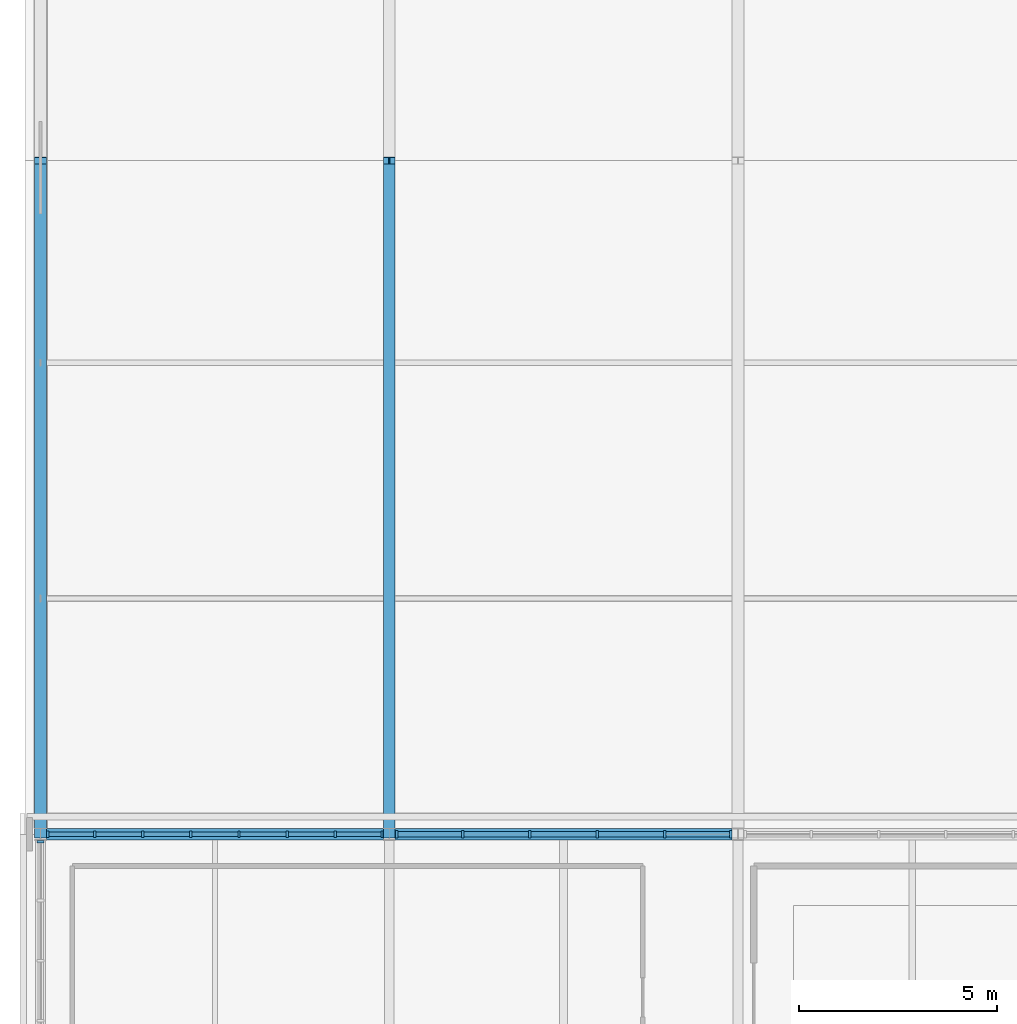
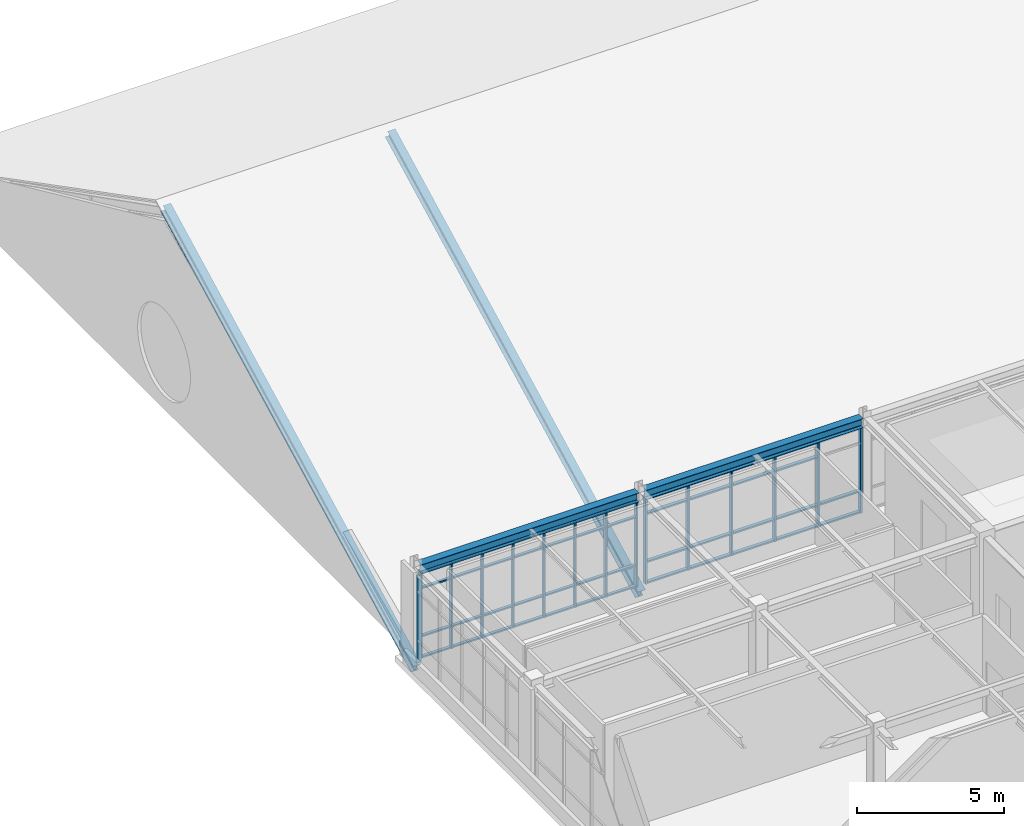
# One storey, part 14 of 45: 63 members, 2 beams, 3 elements without a shape of their own.
"""IFC4 building model written with IfcOpenShell, lengths in metres."""

import ifcopenshell
import ifcopenshell.guid

model = None  # the IFC model being written
_history = None  # IfcOwnerHistory: only IFC2X3 demands one
_inside = {}  # id of a spatial element -> (the spatial element, [elements in it])
_under = {}  # id of a project, library or spatial element -> (it, [spatial elements below it])
_declared = {}  # id of a project -> (the project, [libraries it declares])
_typed = {}  # id of a type object -> (the type object, [elements of that type])
_made_of = {}  # id of a material, layer set ... -> (it, [elements and type objects made of it])


def new_model(schema):
    """Start an empty IFC model of exactly this schema.

    Asked for "IFC4X3", IfcOpenShell would pick the latest addendum, in which some entities
    have other attributes; the version numbers below select the first issue.
    IFC2X3 requires an IfcOwnerHistory on every rooted entity: one is made here for all.
    """
    global model, _history
    if schema == "IFC4X3":
        model = ifcopenshell.file(schema_version=(4, 3, 0, 0))
    else:
        model = ifcopenshell.file(schema=schema)
    _inside.clear()
    _under.clear()
    _declared.clear()
    _typed.clear()
    _made_of.clear()
    _history = None
    if model.schema == "IFC2X3":
        org = make("IfcOrganization", Name="unknown")
        user = make(
            "IfcPersonAndOrganization",
            ThePerson=make("IfcPerson", FamilyName="unknown"),
            TheOrganization=org,
        )
        app = make(
            "IfcApplication",
            ApplicationDeveloper=org,
            Version="unknown",
            ApplicationFullName="unknown",
            ApplicationIdentifier="unknown",
        )
        _history = make(
            "IfcOwnerHistory",
            OwningUser=user,
            OwningApplication=app,
            ChangeAction="ADDED",
            CreationDate=0,
        )
    return model


def make(cls, **values):
    """One entity of the class cls with the attributes given. An attribute that is None is left unset."""
    return model.create_entity(
        cls, **{name: value for name, value in values.items() if value is not None}
    )


def rooted(cls, **values):
    """An entity with a GlobalId (a new one), such as an element, a storey or a relation."""
    return make(cls, GlobalId=ifcopenshell.guid.new(), OwnerHistory=_history, **values)


def si_unit(unit_type, name, prefix=None):
    """IfcSIUnit, for example si_unit("LENGTHUNIT", "METRE", prefix="MILLI")."""
    return make("IfcSIUnit", UnitType=unit_type, Prefix=prefix, Name=name)


def assignment(units):
    """IfcUnitAssignment: the units of a project."""
    return None if units is None else make("IfcUnitAssignment", Units=units)


def point(xyz):
    """IfcCartesianPoint."""
    return None if xyz is None else make("IfcCartesianPoint", Coordinates=xyz)


def direction(xyz):
    """IfcDirection."""
    return None if xyz is None else make("IfcDirection", DirectionRatios=xyz)


def frame(location, z_axis=None, x_axis=None):
    """IfcAxis2Placement3D, a coordinate frame: its origin and axes. An axis left out is left unset."""
    return make(
        "IfcAxis2Placement3D",
        Location=point(location),
        Axis=direction(z_axis),
        RefDirection=direction(x_axis),
    )


def frame_2d(location, x_axis=None):
    """IfcAxis2Placement2D, a coordinate frame in the plane: its origin and x axis."""
    return make(
        "IfcAxis2Placement2D", Location=point(location), RefDirection=direction(x_axis)
    )


def origin():
    """The frame at (0, 0, 0) with its axes left unset."""
    return frame((0.0, 0.0, 0.0))


def origin_2d():
    """The frame at (0, 0) in the plane with its x axis left unset."""
    return frame_2d((0.0, 0.0))


def place(relative_to, where):
    """IfcLocalPlacement: puts the frame where relative to a parent placement (None: the world)."""
    return make(
        "IfcLocalPlacement", PlacementRelTo=relative_to, RelativePlacement=where
    )


def context(
    kind, dimensions, precision=None, world=None, true_north=None, identifier=None
):
    """IfcGeometricRepresentationContext, for example the 3D "Model" context."""
    return make(
        "IfcGeometricRepresentationContext",
        ContextIdentifier=identifier,
        ContextType=kind,
        CoordinateSpaceDimension=dimensions,
        Precision=precision,
        WorldCoordinateSystem=world,
        TrueNorth=true_north,
    )


def subcontext(parent, identifier, kind, view, scale=None):
    """IfcGeometricRepresentationSubContext, for example "Body" below "Model"."""
    return make(
        "IfcGeometricRepresentationSubContext",
        ContextIdentifier=identifier,
        ContextType=kind,
        ParentContext=parent,
        TargetScale=scale,
        TargetView=view,
    )


def project(units=None, contexts=None):
    """IfcProject with its units and contexts."""
    return rooted(
        "IfcProject",
        Name="project",
        RepresentationContexts=contexts,
        UnitsInContext=assignment(units),
    )


def spatial(cls, under=None, at=None, **own):
    """A site, building, storey or space (cls), placed at a placement, below another one or the project."""
    s = rooted(cls, ObjectPlacement=at, **own)
    if under is not None:
        _under.setdefault(under.id(), (under, []))[1].append(s)
    return s


def profile(cls, at=None, kind="AREA", **sizes):
    """A parametric profile (cls). Its sizes go by their IFC names, for example OverallWidth=200.0."""
    return make(cls, ProfileType=kind, Position=at, **sizes)


def rectangle(**sizes):
    """IfcRectangleProfileDef."""
    return profile("IfcRectangleProfileDef", **sizes)


def i_section(**sizes):
    """IfcIShapeProfileDef."""
    return profile("IfcIShapeProfileDef", **sizes)


def extrude(swept, where, along, depth):
    """IfcExtrudedAreaSolid: the profile swept, set in the frame where, extruded along a direction by depth."""
    return make(
        "IfcExtrudedAreaSolid",
        SweptArea=swept,
        Position=where,
        ExtrudedDirection=direction(along),
        Depth=depth,
    )


def shape(context_of_items, identifier, shape_type, items):
    """IfcShapeRepresentation: the items that make up one representation, for example the "Body"."""
    return make(
        "IfcShapeRepresentation",
        ContextOfItems=context_of_items,
        RepresentationIdentifier=identifier,
        RepresentationType=shape_type,
        Items=items,
    )


def material(Name=None, Category=None):
    """IfcMaterial."""
    return make("IfcMaterial", Name=Name, Category=Category)


def material_profile(
    of_material, cross_section, Name=None, Category=None, Priority=None
):
    """IfcMaterialProfile: a cross section and its material."""
    return make(
        "IfcMaterialProfile",
        Name=Name,
        Material=of_material,
        Profile=cross_section,
        Priority=Priority,
        Category=Category,
    )


def profile_set(profiles, Name=None, composite=None):
    """IfcMaterialProfileSet."""
    return make(
        "IfcMaterialProfileSet",
        Name=Name,
        MaterialProfiles=profiles,
        CompositeProfile=composite,
    )


def made_of(thing, what):
    """Note that an element or type object is made of a material, layer set ...; save() writes the relation."""
    if what is not None:
        _made_of.setdefault(what.id(), (what, []))[1].append(thing)
    return thing


def type_object(cls, material=None, **own):
    """A type object (cls), such as IfcWallType, which elements share."""
    return made_of(rooted(cls, **own), material)


def element(
    cls,
    number,
    at=None,
    inside=None,
    cuts=None,
    type_object=None,
    material=None,
    context=None,
    identifier="Body",
    shape_type=None,
    held_by="IfcProductDefinitionShape",
    body=None,
    shapes=None,
    **own,
):
    """One element of the class cls, such as IfcWall. Its Tag is "e" and its number.

    at: its placement. inside: the storey or other place that contains it. cuts: it is an
    opening in that element (IfcRelVoidsElement). A single representation is given by context,
    identifier, shape_type and body (its items); several are given by shapes. held_by: the class
    of the entity that holds the representations. save() writes the other relations.
    """
    e = rooted(cls, Tag="e%d" % number, ObjectPlacement=at, **own)
    if body is not None:
        shapes = [shape(context, identifier, shape_type, body)]
    if shapes is not None:
        e.Representation = make(held_by, Representations=shapes)
    if inside is not None:
        _inside.setdefault(inside.id(), (inside, []))[1].append(e)
    if cuts is not None:
        rooted(
            "IfcRelVoidsElement", RelatingBuildingElement=cuts, RelatedOpeningElement=e
        )
    if type_object is not None:
        _typed.setdefault(type_object.id(), (type_object, []))[1].append(e)
    return made_of(e, material)


def aggregate(whole, parts):
    """IfcRelAggregates: a whole, such as a stair, and the parts it consists of."""
    return rooted("IfcRelAggregates", RelatingObject=whole, RelatedObjects=parts)


def save(model, path):
    """Write the relations noted so far, then the file.

    IfcRelAggregates (storeys below a building ...), IfcRelContainedInSpatialStructure (elements
    in a storey), IfcRelDefinesByType, IfcRelAssociatesMaterial and IfcRelDeclares: one each for
    every whole, place, type object, material and project.
    """
    for whole, parts in _under.values():
        aggregate(whole, parts)
    for where, things in _inside.values():
        rooted(
            "IfcRelContainedInSpatialStructure",
            RelatedElements=things,
            RelatingStructure=where,
        )
    for kind, things in _typed.values():
        rooted("IfcRelDefinesByType", RelatedObjects=things, RelatingType=kind)
    for what, things in _made_of.values():
        rooted("IfcRelAssociatesMaterial", RelatedObjects=things, RelatingMaterial=what)
    for by, libraries in _declared.values():
        rooted("IfcRelDeclares", RelatingContext=by, RelatedDefinitions=libraries)
    model.write(path)


model = new_model("IFC4")

# Units and contexts
model_context = context("Model", 3, precision=1e-05, world=origin(), true_north=direction((0.0, 1.0)))
body_context = subcontext(model_context, "Body", "Model", "MODEL_VIEW")
ifc_project = project(units=[si_unit("LENGTHUNIT", "METRE"), si_unit("AREAUNIT", "SQUARE_METRE"), si_unit("VOLUMEUNIT", "CUBIC_METRE"), si_unit("PLANEANGLEUNIT", "RADIAN"), si_unit("MASSUNIT", "GRAM", prefix="KILO")], contexts=[model_context])

# Site, building, storey
site_placement = place(None, origin())
site = spatial("IfcSite", under=ifc_project, at=site_placement, CompositionType="ELEMENT")
building_placement = place(site_placement, origin())
building = spatial("IfcBuilding", under=site, at=building_placement, Name="Zhaolan Boulevard Law Courts", CompositionType="ELEMENT")
storey_placement = place(building_placement, frame((0.0, 0.0, 24.60009765625)))
storey = spatial("IfcBuildingStorey", under=building, at=storey_placement, Name="L05", CompositionType="ELEMENT", Elevation=24.60009765625)

# Curtain wall, members
ifc_material_1 = material(Name="Thermally broken aluminium and low-E glazing", Category="aluminium")
curtain_wall_type_1 = type_object("IfcCurtainWallType", Name="CURTAIN WALL M15", PredefinedType="USERDEFINED", material=ifc_material_1)
curtain_wall_1_placement = place(storey_placement, origin())
curtain_wall_1 = element("IfcCurtainWall", 1, at=curtain_wall_1_placement, inside=storey, type_object=curtain_wall_type_1, Name="Curtain Wall CW-L05-207", ObjectType="CURTAIN WALL", PredefinedType="USERDEFINED")
ifc_material_2 = material(Name="Fluorocarbon-coated aluminium 6063-T6", Category="aluminium")
ifc_material_profile_1 = material_profile(ifc_material_2, rectangle(XDim=0.159912109375, YDim=0.06005859375, at=origin_2d()), Name="AL60x160")
ifc_profile_set_1 = profile_set([ifc_material_profile_1], Name="Fluorocarbon-coated aluminium 6063-T6")
member_type_1 = type_object("IfcMemberType", Name="CWMULLION 60X160", PredefinedType="MULLION", material=ifc_profile_set_1)
member_1_placement = place(storey_placement, frame((8.617919921875, 78.0, 0.0), z_axis=(0.0, 0.0, 1.0), x_axis=(0.0, -1.0, 0.0)))
member_1 = element("IfcMember", 2, at=member_1_placement, type_object=member_type_1, Name="CW-L05-207 mullion 1", PredefinedType="MULLION", context=body_context, shape_type="SweptSolid", body=[
    extrude(rectangle(XDim=0.159912109375, YDim=0.06005859375, at=origin_2d()), origin(), (0.0, 0.0, 1.0), 3.54296875),
])
member_2_placement = place(storey_placement, frame((7.434326171875, 78.0, 0.0), z_axis=(0.0, 0.0, 1.0), x_axis=(0.0, -1.0, 0.0)))
member_2 = element("IfcMember", 3, at=member_2_placement, type_object=member_type_1, Name="CW-L05-207 mullion 2", PredefinedType="MULLION", context=body_context, shape_type="SweptSolid", body=[
    extrude(rectangle(XDim=0.159912109375, YDim=0.06005859375, at=origin_2d()), origin(), (0.0, 0.0, 1.0), 3.54296875),
])
member_3_placement = place(storey_placement, frame((6.220458984375, 78.0, 0.0), z_axis=(0.0, 0.0, 1.0), x_axis=(0.0, -1.0, 0.0)))
member_3 = element("IfcMember", 4, at=member_3_placement, type_object=member_type_1, Name="CW-L05-207 mullion 3", PredefinedType="MULLION", context=body_context, shape_type="SweptSolid", body=[
    extrude(rectangle(XDim=0.159912109375, YDim=0.06005859375, at=origin_2d()), origin(), (0.0, 0.0, 1.0), 3.54296875),
])
member_4_placement = place(storey_placement, frame((5.0068359375, 78.0, 0.0), z_axis=(0.0, 0.0, 1.0), x_axis=(0.0, -1.0, 0.0)))
member_4 = element("IfcMember", 5, at=member_4_placement, type_object=member_type_1, Name="CW-L05-207 mullion 4", PredefinedType="MULLION", context=body_context, shape_type="SweptSolid", body=[
    extrude(rectangle(XDim=0.159912109375, YDim=0.06005859375, at=origin_2d()), origin(), (0.0, 0.0, 1.0), 3.54296875),
])
member_5_placement = place(storey_placement, frame((3.793212890625, 78.0, 0.0), z_axis=(0.0, 0.0, 1.0), x_axis=(0.0, -1.0, 0.0)))
member_5 = element("IfcMember", 6, at=member_5_placement, type_object=member_type_1, Name="CW-L05-207 mullion 5", PredefinedType="MULLION", context=body_context, shape_type="SweptSolid", body=[
    extrude(rectangle(XDim=0.159912109375, YDim=0.06005859375, at=origin_2d()), origin(), (0.0, 0.0, 1.0), 3.54296875),
])
member_6_placement = place(storey_placement, frame((2.579345703125, 78.0, 0.0), z_axis=(0.0, 0.0, 1.0), x_axis=(0.0, -1.0, 0.0)))
member_6 = element("IfcMember", 7, at=member_6_placement, type_object=member_type_1, Name="CW-L05-207 mullion 6", PredefinedType="MULLION", context=body_context, shape_type="SweptSolid", body=[
    extrude(rectangle(XDim=0.159912109375, YDim=0.06005859375, at=origin_2d()), origin(), (0.0, 0.0, 1.0), 3.54296875),
])
member_7_placement = place(storey_placement, frame((1.36572265625, 78.0, 0.0), z_axis=(0.0, 0.0, 1.0), x_axis=(0.0, -1.0, 0.0)))
member_7 = element("IfcMember", 8, at=member_7_placement, type_object=member_type_1, Name="CW-L05-207 mullion 7", PredefinedType="MULLION", context=body_context, shape_type="SweptSolid", body=[
    extrude(rectangle(XDim=0.159912109375, YDim=0.06005859375, at=origin_2d()), origin(), (0.0, 0.0, 1.0), 3.54296875),
])
member_8_placement = place(storey_placement, frame((0.181884765625, 78.0, 0.0), z_axis=(0.0, 0.0, 1.0), x_axis=(0.0, -1.0, 0.0)))
member_8 = element("IfcMember", 9, at=member_8_placement, type_object=member_type_1, Name="CW-L05-207 mullion 8", PredefinedType="MULLION", context=body_context, shape_type="SweptSolid", body=[
    extrude(rectangle(XDim=0.159912109375, YDim=0.06005859375, at=origin_2d()), origin(), (0.0, 0.0, 1.0), 3.54296875),
])

ifc_material_3 = material(Name="Thermally broken aluminium and low-E glazing", Category="aluminium")
curtain_wall_type_2 = type_object("IfcCurtainWallType", Name="CURTAIN WALL M16", PredefinedType="USERDEFINED", material=ifc_material_3)
curtain_wall_2_placement = place(storey_placement, origin())
curtain_wall_2 = element("IfcCurtainWall", 10, at=curtain_wall_2_placement, inside=storey, type_object=curtain_wall_type_2, Name="Curtain Wall CW-L05-208", ObjectType="CURTAIN WALL", PredefinedType="USERDEFINED")
ifc_material_4 = material(Name="Fluorocarbon-coated aluminium 6063-T6", Category="aluminium")
ifc_material_profile_2 = material_profile(ifc_material_4, rectangle(XDim=0.179931640625, YDim=0.06494140625, at=origin_2d()), Name="AL65x180")
ifc_profile_set_2 = profile_set([ifc_material_profile_2], Name="Fluorocarbon-coated aluminium 6063-T6")
member_type_2 = type_object("IfcMemberType", Name="CWMULLION 65X180", PredefinedType="MULLION", material=ifc_profile_set_2)
member_9_placement = place(storey_placement, frame((17.41552734375, 78.0, 0.0), z_axis=(0.0, 0.0, 1.0), x_axis=(0.0, -1.0, 0.0)))
member_9 = element("IfcMember", 11, at=member_9_placement, type_object=member_type_2, Name="CW-L05-208 mullion 1", PredefinedType="MULLION", context=body_context, shape_type="SweptSolid", body=[
    extrude(rectangle(XDim=0.179931640625, YDim=0.06494140625, at=origin_2d()), origin(), (0.0, 0.0, 1.0), 3.54296875),
])
member_10_placement = place(storey_placement, frame((15.748779296875, 78.0, 0.0), z_axis=(0.0, 0.0, 1.0), x_axis=(0.0, -1.0, 0.0)))
member_10 = element("IfcMember", 12, at=member_10_placement, type_object=member_type_2, Name="CW-L05-208 mullion 2", PredefinedType="MULLION", context=body_context, shape_type="SweptSolid", body=[
    extrude(rectangle(XDim=0.179931640625, YDim=0.06494140625, at=origin_2d()), origin(), (0.0, 0.0, 1.0), 3.54296875),
])
member_11_placement = place(storey_placement, frame((14.049560546875, 78.0, 0.0), z_axis=(0.0, 0.0, 1.0), x_axis=(0.0, -1.0, 0.0)))
member_11 = element("IfcMember", 13, at=member_11_placement, type_object=member_type_2, Name="CW-L05-208 mullion 3", PredefinedType="MULLION", context=body_context, shape_type="SweptSolid", body=[
    extrude(rectangle(XDim=0.179931640625, YDim=0.06494140625, at=origin_2d()), origin(), (0.0, 0.0, 1.0), 3.54296875),
])
member_12_placement = place(storey_placement, frame((12.350341796875, 78.0, 0.0), z_axis=(0.0, 0.0, 1.0), x_axis=(0.0, -1.0, 0.0)))
member_12 = element("IfcMember", 14, at=member_12_placement, type_object=member_type_2, Name="CW-L05-208 mullion 4", PredefinedType="MULLION", context=body_context, shape_type="SweptSolid", body=[
    extrude(rectangle(XDim=0.179931640625, YDim=0.06494140625, at=origin_2d()), origin(), (0.0, 0.0, 1.0), 3.54296875),
])
member_13_placement = place(storey_placement, frame((10.651123046875, 78.0, 0.0), z_axis=(0.0, 0.0, 1.0), x_axis=(0.0, -1.0, 0.0)))
member_13 = element("IfcMember", 15, at=member_13_placement, type_object=member_type_2, Name="CW-L05-208 mullion 5", PredefinedType="MULLION", context=body_context, shape_type="SweptSolid", body=[
    extrude(rectangle(XDim=0.179931640625, YDim=0.06494140625, at=origin_2d()), origin(), (0.0, 0.0, 1.0), 3.54296875),
])
member_14_placement = place(storey_placement, frame((8.984619140625, 78.0, 0.0), z_axis=(0.0, 0.0, 1.0), x_axis=(0.0, -1.0, 0.0)))
member_14 = element("IfcMember", 16, at=member_14_placement, type_object=member_type_2, Name="CW-L05-208 mullion 6", PredefinedType="MULLION", context=body_context, shape_type="SweptSolid", body=[
    extrude(rectangle(XDim=0.179931640625, YDim=0.06494140625, at=origin_2d()), origin(), (0.0, 0.0, 1.0), 3.54296875),
])

# Curtain wall, member
ifc_material_5 = material(Name="Thermally broken aluminium and low-E glazing", Category="aluminium")
curtain_wall_type_3 = type_object("IfcCurtainWallType", Name="CURTAIN WALL M1", PredefinedType="USERDEFINED", material=ifc_material_5)
curtain_wall_3_placement = place(storey_placement, origin())
curtain_wall_3 = element("IfcCurtainWall", 17, at=curtain_wall_3_placement, inside=storey, type_object=curtain_wall_type_3, Name="Curtain Wall CW-L05-217", ObjectType="CURTAIN WALL", PredefinedType="USERDEFINED")
member_15_placement = place(storey_placement, frame((0.0, 77.8154296875, 0.0), z_axis=(0.0, 0.0, 1.0), x_axis=(1.0, 0.0, 0.0)))
member_15 = element("IfcMember", 18, at=member_15_placement, type_object=member_type_2, Name="CW-L05-217 mullion 1", PredefinedType="MULLION", context=body_context, shape_type="SweptSolid", body=[
    extrude(rectangle(XDim=0.179931640625, YDim=0.06494140625, at=origin_2d()), origin(), (0.0, 0.0, 1.0), 3.593017578125),
])
aggregate(curtain_wall_3, [member_15])

# Member
ifc_material_6 = material(Name="Fluorocarbon-coated aluminium 6063-T6", Category="aluminium")
ifc_material_profile_3 = material_profile(ifc_material_6, rectangle(XDim=0.1201171875, YDim=0.06005859375, at=origin_2d()), Name="AL60x120")
ifc_profile_set_3 = profile_set([ifc_material_profile_3], Name="Fluorocarbon-coated aluminium 6063-T6")
member_type_3 = type_object("IfcMemberType", Name="CWTRANSOM 60X120", PredefinedType="USERDEFINED", material=ifc_profile_set_3)
member_16_placement = place(storey_placement, frame((8.587890625, 78.0, 0.02978515625), z_axis=(-1.0, 0.0, 0.0), x_axis=(0.0, -1.0, 0.0)))
member_16 = element("IfcMember", 19, at=member_16_placement, type_object=member_type_3, Name="CW-L05-207 transom 1.1", ObjectType="TRANSOM", PredefinedType="USERDEFINED", context=body_context, shape_type="SweptSolid", body=[
    extrude(rectangle(XDim=0.1201171875, YDim=0.06005859375, at=origin_2d()), origin(), (0.0, 0.0, 1.0), 1.12353515625),
])

member_17_placement = place(storey_placement, frame((8.587890625, 78.0, 0.89990234375), z_axis=(-1.0, 0.0, 0.0), x_axis=(0.0, -1.0, 0.0)))
member_17 = element("IfcMember", 20, at=member_17_placement, type_object=member_type_3, Name="CW-L05-207 transom 1.2", ObjectType="TRANSOM", PredefinedType="USERDEFINED", context=body_context, shape_type="SweptSolid", body=[
    extrude(rectangle(XDim=0.1201171875, YDim=0.06005859375, at=origin_2d()), origin(), (0.0, 0.0, 1.0), 1.12353515625),
])

member_18_placement = place(storey_placement, frame((8.587890625, 78.0, 2.892822265625), z_axis=(-1.0, 0.0, 0.0), x_axis=(0.0, -1.0, 0.0)))
member_18 = element("IfcMember", 21, at=member_18_placement, type_object=member_type_3, Name="CW-L05-207 transom 1.3", ObjectType="TRANSOM", PredefinedType="USERDEFINED", context=body_context, shape_type="SweptSolid", body=[
    extrude(rectangle(XDim=0.1201171875, YDim=0.06005859375, at=origin_2d()), origin(), (0.0, 0.0, 1.0), 1.12353515625),
])

member_19_placement = place(storey_placement, frame((8.587890625, 78.0, 3.512939453125), z_axis=(-1.0, 0.0, 0.0), x_axis=(0.0, -1.0, 0.0)))
member_19 = element("IfcMember", 22, at=member_19_placement, type_object=member_type_3, Name="CW-L05-207 transom 1.4", ObjectType="TRANSOM", PredefinedType="USERDEFINED", context=body_context, shape_type="SweptSolid", body=[
    extrude(rectangle(XDim=0.1201171875, YDim=0.06005859375, at=origin_2d()), origin(), (0.0, 0.0, 1.0), 1.12353515625),
])

member_20_placement = place(storey_placement, frame((7.404296875, 78.0, 0.02978515625), z_axis=(-1.0, 0.0, 0.0), x_axis=(0.0, -1.0, 0.0)))
member_20 = element("IfcMember", 23, at=member_20_placement, type_object=member_type_3, Name="CW-L05-207 transom 2.1", ObjectType="TRANSOM", PredefinedType="USERDEFINED", context=body_context, shape_type="SweptSolid", body=[
    extrude(rectangle(XDim=0.1201171875, YDim=0.06005859375, at=origin_2d()), origin(), (0.0, 0.0, 1.0), 1.15380859375),
])

member_21_placement = place(storey_placement, frame((7.404296875, 78.0, 0.89990234375), z_axis=(-1.0, 0.0, 0.0), x_axis=(0.0, -1.0, 0.0)))
member_21 = element("IfcMember", 24, at=member_21_placement, type_object=member_type_3, Name="CW-L05-207 transom 2.2", ObjectType="TRANSOM", PredefinedType="USERDEFINED", context=body_context, shape_type="SweptSolid", body=[
    extrude(rectangle(XDim=0.1201171875, YDim=0.06005859375, at=origin_2d()), origin(), (0.0, 0.0, 1.0), 1.15380859375),
])

member_22_placement = place(storey_placement, frame((7.404296875, 78.0, 2.892822265625), z_axis=(-1.0, 0.0, 0.0), x_axis=(0.0, -1.0, 0.0)))
member_22 = element("IfcMember", 25, at=member_22_placement, type_object=member_type_3, Name="CW-L05-207 transom 2.3", ObjectType="TRANSOM", PredefinedType="USERDEFINED", context=body_context, shape_type="SweptSolid", body=[
    extrude(rectangle(XDim=0.1201171875, YDim=0.06005859375, at=origin_2d()), origin(), (0.0, 0.0, 1.0), 1.15380859375),
])

member_23_placement = place(storey_placement, frame((7.404296875, 78.0, 3.512939453125), z_axis=(-1.0, 0.0, 0.0), x_axis=(0.0, -1.0, 0.0)))
member_23 = element("IfcMember", 26, at=member_23_placement, type_object=member_type_3, Name="CW-L05-207 transom 2.4", ObjectType="TRANSOM", PredefinedType="USERDEFINED", context=body_context, shape_type="SweptSolid", body=[
    extrude(rectangle(XDim=0.1201171875, YDim=0.06005859375, at=origin_2d()), origin(), (0.0, 0.0, 1.0), 1.15380859375),
])

member_24_placement = place(storey_placement, frame((6.190673828125, 78.0, 0.02978515625), z_axis=(-1.0, 0.0, 0.0), x_axis=(0.0, -1.0, 0.0)))
member_24 = element("IfcMember", 27, at=member_24_placement, type_object=member_type_3, Name="CW-L05-207 transom 3.1", ObjectType="TRANSOM", PredefinedType="USERDEFINED", context=body_context, shape_type="SweptSolid", body=[
    extrude(rectangle(XDim=0.1201171875, YDim=0.06005859375, at=origin_2d()), origin(), (0.0, 0.0, 1.0), 1.15380859375),
])

member_25_placement = place(storey_placement, frame((6.190673828125, 78.0, 0.89990234375), z_axis=(-1.0, 0.0, 0.0), x_axis=(0.0, -1.0, 0.0)))
member_25 = element("IfcMember", 28, at=member_25_placement, type_object=member_type_3, Name="CW-L05-207 transom 3.2", ObjectType="TRANSOM", PredefinedType="USERDEFINED", context=body_context, shape_type="SweptSolid", body=[
    extrude(rectangle(XDim=0.1201171875, YDim=0.06005859375, at=origin_2d()), origin(), (0.0, 0.0, 1.0), 1.15380859375),
])

member_26_placement = place(storey_placement, frame((6.190673828125, 78.0, 2.892822265625), z_axis=(-1.0, 0.0, 0.0), x_axis=(0.0, -1.0, 0.0)))
member_26 = element("IfcMember", 29, at=member_26_placement, type_object=member_type_3, Name="CW-L05-207 transom 3.3", ObjectType="TRANSOM", PredefinedType="USERDEFINED", context=body_context, shape_type="SweptSolid", body=[
    extrude(rectangle(XDim=0.1201171875, YDim=0.06005859375, at=origin_2d()), origin(), (0.0, 0.0, 1.0), 1.15380859375),
])

member_27_placement = place(storey_placement, frame((6.190673828125, 78.0, 3.512939453125), z_axis=(-1.0, 0.0, 0.0), x_axis=(0.0, -1.0, 0.0)))
member_27 = element("IfcMember", 30, at=member_27_placement, type_object=member_type_3, Name="CW-L05-207 transom 3.4", ObjectType="TRANSOM", PredefinedType="USERDEFINED", context=body_context, shape_type="SweptSolid", body=[
    extrude(rectangle(XDim=0.1201171875, YDim=0.06005859375, at=origin_2d()), origin(), (0.0, 0.0, 1.0), 1.15380859375),
])

member_28_placement = place(storey_placement, frame((4.976806640625, 78.0, 0.02978515625), z_axis=(-1.0, 0.0, 0.0), x_axis=(0.0, -1.0, 0.0)))
member_28 = element("IfcMember", 31, at=member_28_placement, type_object=member_type_3, Name="CW-L05-207 transom 4.1", ObjectType="TRANSOM", PredefinedType="USERDEFINED", context=body_context, shape_type="SweptSolid", body=[
    extrude(rectangle(XDim=0.1201171875, YDim=0.06005859375, at=origin_2d()), origin(), (0.0, 0.0, 1.0), 1.153564453125),
])

member_29_placement = place(storey_placement, frame((4.976806640625, 78.0, 0.89990234375), z_axis=(-1.0, 0.0, 0.0), x_axis=(0.0, -1.0, 0.0)))
member_29 = element("IfcMember", 32, at=member_29_placement, type_object=member_type_3, Name="CW-L05-207 transom 4.2", ObjectType="TRANSOM", PredefinedType="USERDEFINED", context=body_context, shape_type="SweptSolid", body=[
    extrude(rectangle(XDim=0.1201171875, YDim=0.06005859375, at=origin_2d()), origin(), (0.0, 0.0, 1.0), 1.153564453125),
])

member_30_placement = place(storey_placement, frame((4.976806640625, 78.0, 2.892822265625), z_axis=(-1.0, 0.0, 0.0), x_axis=(0.0, -1.0, 0.0)))
member_30 = element("IfcMember", 33, at=member_30_placement, type_object=member_type_3, Name="CW-L05-207 transom 4.3", ObjectType="TRANSOM", PredefinedType="USERDEFINED", context=body_context, shape_type="SweptSolid", body=[
    extrude(rectangle(XDim=0.1201171875, YDim=0.06005859375, at=origin_2d()), origin(), (0.0, 0.0, 1.0), 1.153564453125),
])

member_31_placement = place(storey_placement, frame((4.976806640625, 78.0, 3.512939453125), z_axis=(-1.0, 0.0, 0.0), x_axis=(0.0, -1.0, 0.0)))
member_31 = element("IfcMember", 34, at=member_31_placement, type_object=member_type_3, Name="CW-L05-207 transom 4.4", ObjectType="TRANSOM", PredefinedType="USERDEFINED", context=body_context, shape_type="SweptSolid", body=[
    extrude(rectangle(XDim=0.1201171875, YDim=0.06005859375, at=origin_2d()), origin(), (0.0, 0.0, 1.0), 1.153564453125),
])

member_32_placement = place(storey_placement, frame((3.76318359375, 78.0, 0.02978515625), z_axis=(-1.0, 0.0, 0.0), x_axis=(0.0, -1.0, 0.0)))
member_32 = element("IfcMember", 35, at=member_32_placement, type_object=member_type_3, Name="CW-L05-207 transom 5.1", ObjectType="TRANSOM", PredefinedType="USERDEFINED", context=body_context, shape_type="SweptSolid", body=[
    extrude(rectangle(XDim=0.1201171875, YDim=0.06005859375, at=origin_2d()), origin(), (0.0, 0.0, 1.0), 1.15380859375),
])

member_33_placement = place(storey_placement, frame((3.76318359375, 78.0, 0.89990234375), z_axis=(-1.0, 0.0, 0.0), x_axis=(0.0, -1.0, 0.0)))
member_33 = element("IfcMember", 36, at=member_33_placement, type_object=member_type_3, Name="CW-L05-207 transom 5.2", ObjectType="TRANSOM", PredefinedType="USERDEFINED", context=body_context, shape_type="SweptSolid", body=[
    extrude(rectangle(XDim=0.1201171875, YDim=0.06005859375, at=origin_2d()), origin(), (0.0, 0.0, 1.0), 1.15380859375),
])

member_34_placement = place(storey_placement, frame((3.76318359375, 78.0, 2.892822265625), z_axis=(-1.0, 0.0, 0.0), x_axis=(0.0, -1.0, 0.0)))
member_34 = element("IfcMember", 37, at=member_34_placement, type_object=member_type_3, Name="CW-L05-207 transom 5.3", ObjectType="TRANSOM", PredefinedType="USERDEFINED", context=body_context, shape_type="SweptSolid", body=[
    extrude(rectangle(XDim=0.1201171875, YDim=0.06005859375, at=origin_2d()), origin(), (0.0, 0.0, 1.0), 1.15380859375),
])

member_35_placement = place(storey_placement, frame((3.76318359375, 78.0, 3.512939453125), z_axis=(-1.0, 0.0, 0.0), x_axis=(0.0, -1.0, 0.0)))
member_35 = element("IfcMember", 38, at=member_35_placement, type_object=member_type_3, Name="CW-L05-207 transom 5.4", ObjectType="TRANSOM", PredefinedType="USERDEFINED", context=body_context, shape_type="SweptSolid", body=[
    extrude(rectangle(XDim=0.1201171875, YDim=0.06005859375, at=origin_2d()), origin(), (0.0, 0.0, 1.0), 1.15380859375),
])

member_36_placement = place(storey_placement, frame((2.54931640625, 78.0, 0.02978515625), z_axis=(-1.0, 0.0, 0.0), x_axis=(0.0, -1.0, 0.0)))
member_36 = element("IfcMember", 39, at=member_36_placement, type_object=member_type_3, Name="CW-L05-207 transom 6.1", ObjectType="TRANSOM", PredefinedType="USERDEFINED", context=body_context, shape_type="SweptSolid", body=[
    extrude(rectangle(XDim=0.1201171875, YDim=0.06005859375, at=origin_2d()), origin(), (0.0, 0.0, 1.0), 1.153564453125),
])

member_37_placement = place(storey_placement, frame((2.54931640625, 78.0, 0.89990234375), z_axis=(-1.0, 0.0, 0.0), x_axis=(0.0, -1.0, 0.0)))
member_37 = element("IfcMember", 40, at=member_37_placement, type_object=member_type_3, Name="CW-L05-207 transom 6.2", ObjectType="TRANSOM", PredefinedType="USERDEFINED", context=body_context, shape_type="SweptSolid", body=[
    extrude(rectangle(XDim=0.1201171875, YDim=0.06005859375, at=origin_2d()), origin(), (0.0, 0.0, 1.0), 1.153564453125),
])

member_38_placement = place(storey_placement, frame((2.54931640625, 78.0, 2.892822265625), z_axis=(-1.0, 0.0, 0.0), x_axis=(0.0, -1.0, 0.0)))
member_38 = element("IfcMember", 41, at=member_38_placement, type_object=member_type_3, Name="CW-L05-207 transom 6.3", ObjectType="TRANSOM", PredefinedType="USERDEFINED", context=body_context, shape_type="SweptSolid", body=[
    extrude(rectangle(XDim=0.1201171875, YDim=0.06005859375, at=origin_2d()), origin(), (0.0, 0.0, 1.0), 1.153564453125),
])

member_39_placement = place(storey_placement, frame((2.54931640625, 78.0, 3.512939453125), z_axis=(-1.0, 0.0, 0.0), x_axis=(0.0, -1.0, 0.0)))
member_39 = element("IfcMember", 42, at=member_39_placement, type_object=member_type_3, Name="CW-L05-207 transom 6.4", ObjectType="TRANSOM", PredefinedType="USERDEFINED", context=body_context, shape_type="SweptSolid", body=[
    extrude(rectangle(XDim=0.1201171875, YDim=0.06005859375, at=origin_2d()), origin(), (0.0, 0.0, 1.0), 1.153564453125),
])

member_40_placement = place(storey_placement, frame((1.335693359375, 78.0, 0.02978515625), z_axis=(-1.0, 0.0, 0.0), x_axis=(0.0, -1.0, 0.0)))
member_40 = element("IfcMember", 43, at=member_40_placement, type_object=member_type_3, Name="CW-L05-207 transom 7.1", ObjectType="TRANSOM", PredefinedType="USERDEFINED", context=body_context, shape_type="SweptSolid", body=[
    extrude(rectangle(XDim=0.1201171875, YDim=0.06005859375, at=origin_2d()), origin(), (0.0, 0.0, 1.0), 1.123779296875),
])

member_41_placement = place(storey_placement, frame((1.335693359375, 78.0, 0.89990234375), z_axis=(-1.0, 0.0, 0.0), x_axis=(0.0, -1.0, 0.0)))
member_41 = element("IfcMember", 44, at=member_41_placement, type_object=member_type_3, Name="CW-L05-207 transom 7.2", ObjectType="TRANSOM", PredefinedType="USERDEFINED", context=body_context, shape_type="SweptSolid", body=[
    extrude(rectangle(XDim=0.1201171875, YDim=0.06005859375, at=origin_2d()), origin(), (0.0, 0.0, 1.0), 1.123779296875),
])

member_42_placement = place(storey_placement, frame((1.335693359375, 78.0, 2.892822265625), z_axis=(-1.0, 0.0, 0.0), x_axis=(0.0, -1.0, 0.0)))
member_42 = element("IfcMember", 45, at=member_42_placement, type_object=member_type_3, Name="CW-L05-207 transom 7.3", ObjectType="TRANSOM", PredefinedType="USERDEFINED", context=body_context, shape_type="SweptSolid", body=[
    extrude(rectangle(XDim=0.1201171875, YDim=0.06005859375, at=origin_2d()), origin(), (0.0, 0.0, 1.0), 1.123779296875),
])

member_43_placement = place(storey_placement, frame((1.335693359375, 78.0, 3.512939453125), z_axis=(-1.0, 0.0, 0.0), x_axis=(0.0, -1.0, 0.0)))
member_43 = element("IfcMember", 46, at=member_43_placement, type_object=member_type_3, Name="CW-L05-207 transom 7.4", ObjectType="TRANSOM", PredefinedType="USERDEFINED", context=body_context, shape_type="SweptSolid", body=[
    extrude(rectangle(XDim=0.1201171875, YDim=0.06005859375, at=origin_2d()), origin(), (0.0, 0.0, 1.0), 1.123779296875),
])

aggregate(curtain_wall_1, [member_1, member_2, member_3, member_4, member_5, member_6, member_7, member_8, member_16, member_17, member_18, member_19, member_20, member_21, member_22, member_23, member_24, member_25, member_26, member_27, member_28, member_29, member_30, member_31, member_32, member_33, member_34, member_35, member_36, member_37, member_38, member_39, member_40, member_41, member_42, member_43])

ifc_material_7 = material(Name="Fluorocarbon-coated aluminium 6063-T6", Category="aluminium")
ifc_material_profile_4 = material_profile(ifc_material_7, rectangle(XDim=0.139892578125, YDim=0.06494140625, at=origin_2d()), Name="AL65x140")
ifc_profile_set_4 = profile_set([ifc_material_profile_4], Name="Fluorocarbon-coated aluminium 6063-T6")
member_type_4 = type_object("IfcMemberType", Name="CWTRANSOM 65X140", PredefinedType="USERDEFINED", material=ifc_profile_set_4)
member_44_placement = place(storey_placement, frame((17.383056640625, 78.0, 0.032470703125), z_axis=(-1.0, 0.0, 0.0), x_axis=(0.0, -1.0, 0.0)))
member_44 = element("IfcMember", 47, at=member_44_placement, type_object=member_type_4, Name="CW-L05-208 transom 1.1", ObjectType="TRANSOM", PredefinedType="USERDEFINED", context=body_context, shape_type="SweptSolid", body=[
    extrude(rectangle(XDim=0.139892578125, YDim=0.06494140625, at=origin_2d()), origin(), (0.0, 0.0, 1.0), 1.601806640625),
])

member_45_placement = place(storey_placement, frame((17.383056640625, 78.0, 0.89990234375), z_axis=(-1.0, 0.0, 0.0), x_axis=(0.0, -1.0, 0.0)))
member_45 = element("IfcMember", 48, at=member_45_placement, type_object=member_type_4, Name="CW-L05-208 transom 1.2", ObjectType="TRANSOM", PredefinedType="USERDEFINED", context=body_context, shape_type="SweptSolid", body=[
    extrude(rectangle(XDim=0.139892578125, YDim=0.06494140625, at=origin_2d()), origin(), (0.0, 0.0, 1.0), 1.601806640625),
])

member_46_placement = place(storey_placement, frame((15.71630859375, 78.0, 0.032470703125), z_axis=(-1.0, 0.0, 0.0), x_axis=(0.0, -1.0, 0.0)))
member_46 = element("IfcMember", 49, at=member_46_placement, type_object=member_type_4, Name="CW-L05-208 transom 2.1", ObjectType="TRANSOM", PredefinedType="USERDEFINED", context=body_context, shape_type="SweptSolid", body=[
    extrude(rectangle(XDim=0.139892578125, YDim=0.06494140625, at=origin_2d()), origin(), (0.0, 0.0, 1.0), 1.63427734375),
])

member_47_placement = place(storey_placement, frame((15.71630859375, 78.0, 0.89990234375), z_axis=(-1.0, 0.0, 0.0), x_axis=(0.0, -1.0, 0.0)))
member_47 = element("IfcMember", 50, at=member_47_placement, type_object=member_type_4, Name="CW-L05-208 transom 2.2", ObjectType="TRANSOM", PredefinedType="USERDEFINED", context=body_context, shape_type="SweptSolid", body=[
    extrude(rectangle(XDim=0.139892578125, YDim=0.06494140625, at=origin_2d()), origin(), (0.0, 0.0, 1.0), 1.63427734375),
])

member_48_placement = place(storey_placement, frame((15.71630859375, 78.0, 2.892822265625), z_axis=(-1.0, 0.0, 0.0), x_axis=(0.0, -1.0, 0.0)))
member_48 = element("IfcMember", 51, at=member_48_placement, type_object=member_type_4, Name="CW-L05-208 transom 2.3", ObjectType="TRANSOM", PredefinedType="USERDEFINED", context=body_context, shape_type="SweptSolid", body=[
    extrude(rectangle(XDim=0.139892578125, YDim=0.06494140625, at=origin_2d()), origin(), (0.0, 0.0, 1.0), 1.63427734375),
])

member_49_placement = place(storey_placement, frame((15.71630859375, 78.0, 3.510498046875), z_axis=(-1.0, 0.0, 0.0), x_axis=(0.0, -1.0, 0.0)))
member_49 = element("IfcMember", 52, at=member_49_placement, type_object=member_type_4, Name="CW-L05-208 transom 2.4", ObjectType="TRANSOM", PredefinedType="USERDEFINED", context=body_context, shape_type="SweptSolid", body=[
    extrude(rectangle(XDim=0.139892578125, YDim=0.06494140625, at=origin_2d()), origin(), (0.0, 0.0, 1.0), 1.63427734375),
])

member_50_placement = place(storey_placement, frame((14.01708984375, 78.0, 0.032470703125), z_axis=(-1.0, 0.0, 0.0), x_axis=(0.0, -1.0, 0.0)))
member_50 = element("IfcMember", 53, at=member_50_placement, type_object=member_type_4, Name="CW-L05-208 transom 3.1", ObjectType="TRANSOM", PredefinedType="USERDEFINED", context=body_context, shape_type="SweptSolid", body=[
    extrude(rectangle(XDim=0.139892578125, YDim=0.06494140625, at=origin_2d()), origin(), (0.0, 0.0, 1.0), 1.63427734375),
])

member_51_placement = place(storey_placement, frame((14.01708984375, 78.0, 0.89990234375), z_axis=(-1.0, 0.0, 0.0), x_axis=(0.0, -1.0, 0.0)))
member_51 = element("IfcMember", 54, at=member_51_placement, type_object=member_type_4, Name="CW-L05-208 transom 3.2", ObjectType="TRANSOM", PredefinedType="USERDEFINED", context=body_context, shape_type="SweptSolid", body=[
    extrude(rectangle(XDim=0.139892578125, YDim=0.06494140625, at=origin_2d()), origin(), (0.0, 0.0, 1.0), 1.63427734375),
])

member_52_placement = place(storey_placement, frame((14.01708984375, 78.0, 2.892822265625), z_axis=(-1.0, 0.0, 0.0), x_axis=(0.0, -1.0, 0.0)))
member_52 = element("IfcMember", 55, at=member_52_placement, type_object=member_type_4, Name="CW-L05-208 transom 3.3", ObjectType="TRANSOM", PredefinedType="USERDEFINED", context=body_context, shape_type="SweptSolid", body=[
    extrude(rectangle(XDim=0.139892578125, YDim=0.06494140625, at=origin_2d()), origin(), (0.0, 0.0, 1.0), 1.63427734375),
])

member_53_placement = place(storey_placement, frame((14.01708984375, 78.0, 3.510498046875), z_axis=(-1.0, 0.0, 0.0), x_axis=(0.0, -1.0, 0.0)))
member_53 = element("IfcMember", 56, at=member_53_placement, type_object=member_type_4, Name="CW-L05-208 transom 3.4", ObjectType="TRANSOM", PredefinedType="USERDEFINED", context=body_context, shape_type="SweptSolid", body=[
    extrude(rectangle(XDim=0.139892578125, YDim=0.06494140625, at=origin_2d()), origin(), (0.0, 0.0, 1.0), 1.63427734375),
])

member_54_placement = place(storey_placement, frame((12.31787109375, 78.0, 0.032470703125), z_axis=(-1.0, 0.0, 0.0), x_axis=(0.0, -1.0, 0.0)))
member_54 = element("IfcMember", 57, at=member_54_placement, type_object=member_type_4, Name="CW-L05-208 transom 4.1", ObjectType="TRANSOM", PredefinedType="USERDEFINED", context=body_context, shape_type="SweptSolid", body=[
    extrude(rectangle(XDim=0.139892578125, YDim=0.06494140625, at=origin_2d()), origin(), (0.0, 0.0, 1.0), 1.63427734375),
])

member_55_placement = place(storey_placement, frame((12.31787109375, 78.0, 0.89990234375), z_axis=(-1.0, 0.0, 0.0), x_axis=(0.0, -1.0, 0.0)))
member_55 = element("IfcMember", 58, at=member_55_placement, type_object=member_type_4, Name="CW-L05-208 transom 4.2", ObjectType="TRANSOM", PredefinedType="USERDEFINED", context=body_context, shape_type="SweptSolid", body=[
    extrude(rectangle(XDim=0.139892578125, YDim=0.06494140625, at=origin_2d()), origin(), (0.0, 0.0, 1.0), 1.63427734375),
])

member_56_placement = place(storey_placement, frame((12.31787109375, 78.0, 2.892822265625), z_axis=(-1.0, 0.0, 0.0), x_axis=(0.0, -1.0, 0.0)))
member_56 = element("IfcMember", 59, at=member_56_placement, type_object=member_type_4, Name="CW-L05-208 transom 4.3", ObjectType="TRANSOM", PredefinedType="USERDEFINED", context=body_context, shape_type="SweptSolid", body=[
    extrude(rectangle(XDim=0.139892578125, YDim=0.06494140625, at=origin_2d()), origin(), (0.0, 0.0, 1.0), 1.63427734375),
])

member_57_placement = place(storey_placement, frame((12.31787109375, 78.0, 3.510498046875), z_axis=(-1.0, 0.0, 0.0), x_axis=(0.0, -1.0, 0.0)))
member_57 = element("IfcMember", 60, at=member_57_placement, type_object=member_type_4, Name="CW-L05-208 transom 4.4", ObjectType="TRANSOM", PredefinedType="USERDEFINED", context=body_context, shape_type="SweptSolid", body=[
    extrude(rectangle(XDim=0.139892578125, YDim=0.06494140625, at=origin_2d()), origin(), (0.0, 0.0, 1.0), 1.63427734375),
])

member_58_placement = place(storey_placement, frame((10.61865234375, 78.0, 0.032470703125), z_axis=(-1.0, 0.0, 0.0), x_axis=(0.0, -1.0, 0.0)))
member_58 = element("IfcMember", 61, at=member_58_placement, type_object=member_type_4, Name="CW-L05-208 transom 5.1", ObjectType="TRANSOM", PredefinedType="USERDEFINED", context=body_context, shape_type="SweptSolid", body=[
    extrude(rectangle(XDim=0.139892578125, YDim=0.06494140625, at=origin_2d()), origin(), (0.0, 0.0, 1.0), 1.6015625),
])

member_59_placement = place(storey_placement, frame((10.61865234375, 78.0, 0.89990234375), z_axis=(-1.0, 0.0, 0.0), x_axis=(0.0, -1.0, 0.0)))
member_59 = element("IfcMember", 62, at=member_59_placement, type_object=member_type_4, Name="CW-L05-208 transom 5.2", ObjectType="TRANSOM", PredefinedType="USERDEFINED", context=body_context, shape_type="SweptSolid", body=[
    extrude(rectangle(XDim=0.139892578125, YDim=0.06494140625, at=origin_2d()), origin(), (0.0, 0.0, 1.0), 1.6015625),
])

member_60_placement = place(storey_placement, frame((10.61865234375, 78.0, 2.892822265625), z_axis=(-1.0, 0.0, 0.0), x_axis=(0.0, -1.0, 0.0)))
member_60 = element("IfcMember", 63, at=member_60_placement, type_object=member_type_4, Name="CW-L05-208 transom 5.3", ObjectType="TRANSOM", PredefinedType="USERDEFINED", context=body_context, shape_type="SweptSolid", body=[
    extrude(rectangle(XDim=0.139892578125, YDim=0.06494140625, at=origin_2d()), origin(), (0.0, 0.0, 1.0), 1.6015625),
])

member_61_placement = place(storey_placement, frame((10.61865234375, 78.0, 3.510498046875), z_axis=(-1.0, 0.0, 0.0), x_axis=(0.0, -1.0, 0.0)))
member_61 = element("IfcMember", 64, at=member_61_placement, type_object=member_type_4, Name="CW-L05-208 transom 5.4", ObjectType="TRANSOM", PredefinedType="USERDEFINED", context=body_context, shape_type="SweptSolid", body=[
    extrude(rectangle(XDim=0.139892578125, YDim=0.06494140625, at=origin_2d()), origin(), (0.0, 0.0, 1.0), 1.6015625),
])

aggregate(curtain_wall_2, [member_9, member_10, member_11, member_12, member_13, member_14, member_44, member_45, member_46, member_47, member_48, member_49, member_50, member_51, member_52, member_53, member_54, member_55, member_56, member_57, member_58, member_59, member_60, member_61])

# Beams
ifc_material_8 = material(Name="Structural steel Q355B", Category="steel")
ifc_material_profile_5 = material_profile(ifc_material_8, i_section(OverallWidth=0.300048828125, OverallDepth=0.389892578125, WebThickness=0.010009765625, FlangeThickness=0.01611328125, FilletRadius=0.01806640625, at=origin_2d()), Name="HM390x300")
ifc_profile_set_5 = profile_set([ifc_material_profile_5], Name="Structural steel Q355B")
beam_type = type_object("IfcBeamType", Name="GIRDER HM390", PredefinedType="BEAM", material=ifc_profile_set_5)
for number, where, z_axis, x_axis, name in (
    (65, (0.14599609375, 78.0, 3.7529296875), (1.0, 0.0, 0.0), (0.0, 1.0, 0.0), "Beam BX-L06-1-2-L"),
    (66, (8.946044921875, 78.0, 3.7529296875), (1.0, 0.0, 0.0), (0.0, 1.0, 0.0), "Beam BX-L06-2-3-L"),
):
    element("IfcBeam", number, at=place(storey_placement, frame(where, z_axis=z_axis, x_axis=x_axis)), inside=storey, type_object=beam_type, Name=name, PredefinedType="BEAM", context=body_context, shape_type="SweptSolid", body=[
        extrude(i_section(OverallWidth=0.300048828125, OverallDepth=0.389892578125, WebThickness=0.010009765625, FlangeThickness=0.01611328125, FilletRadius=0.01806640625, at=origin_2d()), origin(), (0.0, 0.0, 1.0), 8.508056640625),
    ])

# Members
ifc_material_9 = material(Name="Structural steel Q355B", Category="steel")
ifc_material_profile_6 = material_profile(ifc_material_9, i_section(OverallWidth=0.300048828125, OverallDepth=0.389892578125, WebThickness=0.010009765625, FlangeThickness=0.01611328125, FilletRadius=0.01806640625, at=origin_2d()), Name="HM390x300")
ifc_profile_set_6 = profile_set([ifc_material_profile_6], Name="Structural steel Q355B")
member_type_5 = type_object("IfcMemberType", Name="RAFTER HM390", PredefinedType="RAFTER", material=ifc_profile_set_6)
for number, where, z_axis, x_axis, name in (
    (67, (0.0, 78.0, -0.379150390625), (0.0, 0.888069541, 0.459709136681), (-1.0, 0.0, 0.0), "Law Library Rafter LRF-S"),
    (68, (8.800048828125, 78.0, -0.379150390625), (0.0, 0.888069541, 0.459709136681), (-1.0, 0.0, 0.0), "Law Library Rafter LRF-S"),
):
    element("IfcMember", number, at=place(storey_placement, frame(where, z_axis=z_axis, x_axis=x_axis)), inside=storey, type_object=member_type_5, Name=name, PredefinedType="RAFTER", context=body_context, shape_type="SweptSolid", body=[
        extrude(i_section(OverallWidth=0.300048828125, OverallDepth=0.389892578125, WebThickness=0.010009765625, FlangeThickness=0.01611328125, FilletRadius=0.01806640625, at=origin_2d()), origin(), (0.0, 0.0, 1.0), 19.142578125),
    ])

save(model, "model.ifc")
